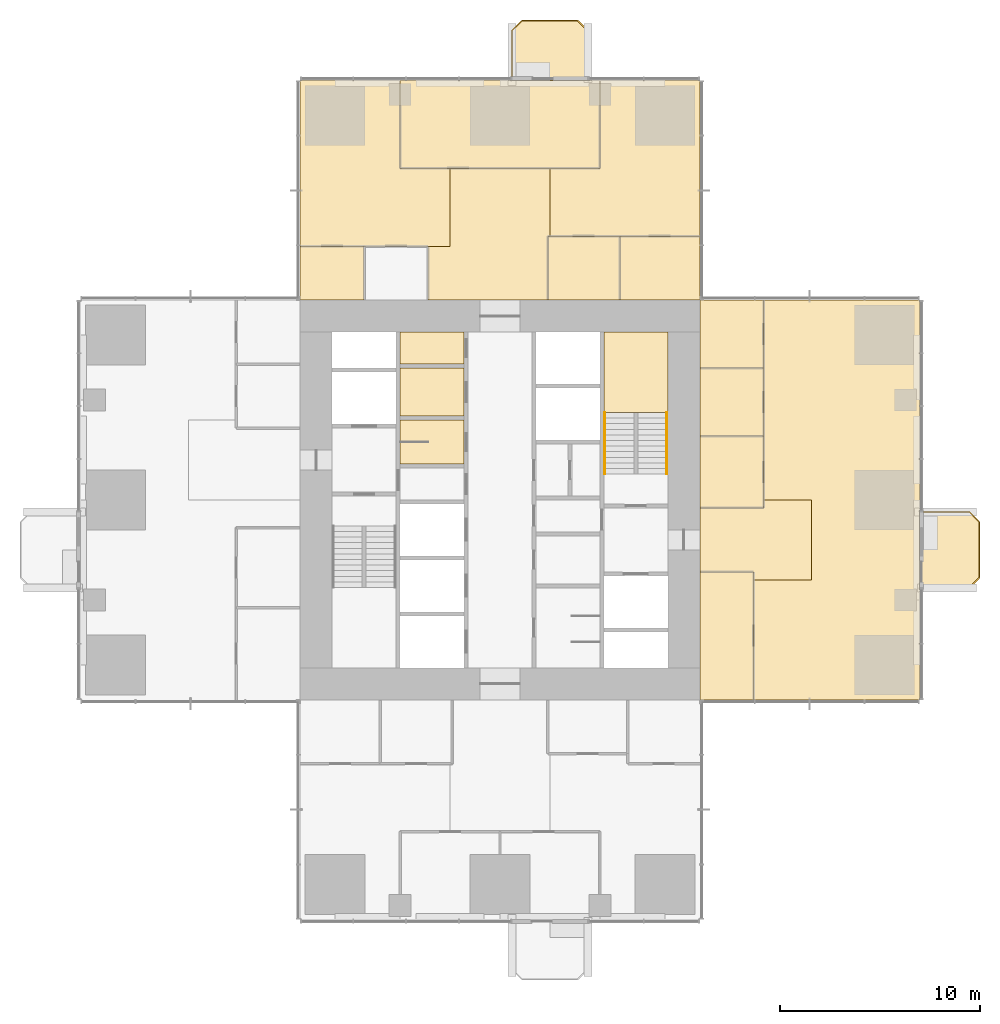
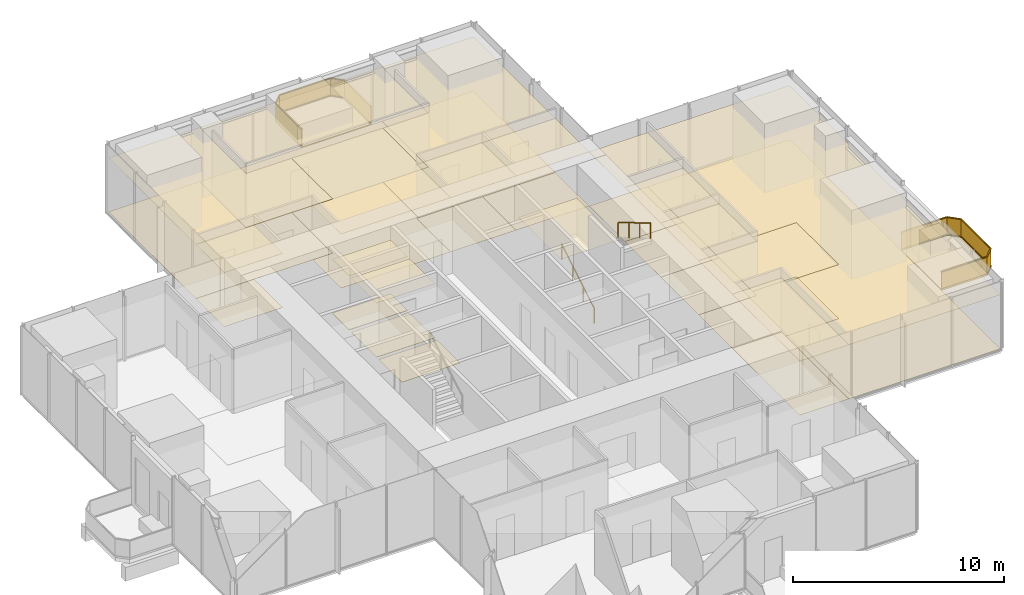
# One storey, part 12 of 13: 34 coverings, 4 railings.
"""IFC4 building model written with IfcOpenShell, lengths in metres."""

from ifc_helpers import new_model, si_unit, direction, frame, origin, origin_2d, place, context, subcontext, project, spatial, polyline, rectangle, circle, outline, extrude, material, layer, layer_set, type_object, element, save


model = new_model("IFC4")

# Units and contexts
model_context = context("Model", 3, precision=1e-05, world=origin(), true_north=direction((0.0, 1.0)))
body_context = subcontext(model_context, "Body", "Model", "MODEL_VIEW")
ifc_project = project(units=[si_unit("LENGTHUNIT", "METRE"), si_unit("AREAUNIT", "SQUARE_METRE"), si_unit("VOLUMEUNIT", "CUBIC_METRE"), si_unit("PLANEANGLEUNIT", "RADIAN"), si_unit("MASSUNIT", "GRAM", prefix="KILO")], contexts=[model_context])

# Site, building, storey
site_placement = place(None, origin())
site = spatial("IfcSite", under=ifc_project, at=site_placement, CompositionType="ELEMENT")
building_placement = place(site_placement, origin())
building = spatial("IfcBuilding", under=site, at=building_placement, Name="Svetlomir Tower", CompositionType="ELEMENT")
storey_placement = place(building_placement, frame((0.0, 0.0, 128.5)))
storey = spatial("IfcBuildingStorey", under=building, at=storey_placement, Name="L30", CompositionType="ELEMENT", Elevation=128.5)

# Railings
ifc_material_1 = material(Name="Bronze anodised aluminium and laminated glass", Category="aluminium")
railing_type_1 = type_object("IfcRailingType", Name="BALCONY GUARD GR1 1100", PredefinedType="GUARDRAIL", material=ifc_material_1)
railing_1_placement = place(storey_placement, frame((42.0, 16.60009765625, 0.0)))
element("IfcRailing", 1, at=railing_1_placement, inside=storey, type_object=railing_type_1, Name="Balcony guard E L30", PredefinedType="GUARDRAIL", context=body_context, shape_type="SweptSolid", body=[
    extrude(rectangle(XDim=0.06005859375, YDim=0.10009765625, at=origin_2d()), frame((0.0, 0.0, 0.050048828125), z_axis=(1.0, 0.0, 0.0), x_axis=(0.0, 1.0, 0.0)), (0.0, 0.0, 1.0), 2.5),
    extrude(rectangle(XDim=0.021484375, YDim=0.960205078125, at=origin_2d()), frame((0.0, 0.0, 0.580078125), z_axis=(1.0, 0.0, 0.0), x_axis=(0.0, 1.0, 0.0)), (0.0, 0.0, 1.0), 2.5),
    extrude(rectangle(XDim=0.06005859375, YDim=0.0400390625, at=origin_2d()), frame((0.0, 0.0, 1.080078125), z_axis=(1.0, 0.0, 0.0), x_axis=(0.0, 1.0, 0.0)), (0.0, 0.0, 1.0), 2.5),
    extrude(rectangle(XDim=0.06005859375, YDim=0.10009765625, at=origin_2d()), frame((2.5, 0.0, 0.050048828125), z_axis=(0.707106781187, 0.707106781187, 0.0), x_axis=(-0.707106781187, 0.707106781187, 0.0)), (0.0, 0.0, 1.0), 0.70703125),
    extrude(rectangle(XDim=0.021484375, YDim=0.960205078125, at=origin_2d()), frame((2.5, 0.0, 0.580078125), z_axis=(0.707106781187, 0.707106781187, 0.0), x_axis=(-0.707106781187, 0.707106781187, 0.0)), (0.0, 0.0, 1.0), 0.70703125),
    extrude(rectangle(XDim=0.06005859375, YDim=0.0400390625, at=origin_2d()), frame((2.5, 0.0, 1.080078125), z_axis=(0.707106781187, 0.707106781187, 0.0), x_axis=(-0.707106781187, 0.707106781187, 0.0)), (0.0, 0.0, 1.0), 0.70703125),
    extrude(rectangle(XDim=0.06005859375, YDim=0.10009765625, at=origin_2d()), frame((3.0, 0.5, 0.050048828125), z_axis=(0.0, 1.0, 0.0), x_axis=(-1.0, 0.0, 0.0)), (0.0, 0.0, 1.0), 2.7998046875),
    extrude(rectangle(XDim=0.021484375, YDim=0.960205078125, at=origin_2d()), frame((3.0, 0.5, 0.580078125), z_axis=(0.0, 1.0, 0.0), x_axis=(-1.0, 0.0, 0.0)), (0.0, 0.0, 1.0), 2.7998046875),
    extrude(rectangle(XDim=0.06005859375, YDim=0.0400390625, at=origin_2d()), frame((3.0, 0.5, 1.080078125), z_axis=(0.0, 1.0, 0.0), x_axis=(-1.0, 0.0, 0.0)), (0.0, 0.0, 1.0), 2.7998046875),
    extrude(rectangle(XDim=0.06005859375, YDim=0.10009765625, at=origin_2d()), frame((3.0, 3.2998046875, 0.050048828125), z_axis=(-0.707106781187, 0.707106781187, 0.0), x_axis=(-0.707106781187, -0.707106781187, 0.0)), (0.0, 0.0, 1.0), 0.70703125),
    extrude(rectangle(XDim=0.021484375, YDim=0.960205078125, at=origin_2d()), frame((3.0, 3.2998046875, 0.580078125), z_axis=(-0.707106781187, 0.707106781187, 0.0), x_axis=(-0.707106781187, -0.707106781187, 0.0)), (0.0, 0.0, 1.0), 0.70703125),
    extrude(rectangle(XDim=0.06005859375, YDim=0.0400390625, at=origin_2d()), frame((3.0, 3.2998046875, 1.080078125), z_axis=(-0.707106781187, 0.707106781187, 0.0), x_axis=(-0.707106781187, -0.707106781187, 0.0)), (0.0, 0.0, 1.0), 0.70703125),
    extrude(rectangle(XDim=0.06005859375, YDim=0.10009765625, at=origin_2d()), frame((2.5, 3.7998046875, 0.050048828125), z_axis=(-1.0, 0.0, 0.0), x_axis=(0.0, -1.0, 0.0)), (0.0, 0.0, 1.0), 2.5),
    extrude(rectangle(XDim=0.021484375, YDim=0.960205078125, at=origin_2d()), frame((2.5, 3.7998046875, 0.580078125), z_axis=(-1.0, 0.0, 0.0), x_axis=(0.0, -1.0, 0.0)), (0.0, 0.0, 1.0), 2.5),
    extrude(rectangle(XDim=0.06005859375, YDim=0.0400390625, at=origin_2d()), frame((2.5, 3.7998046875, 1.080078125), z_axis=(-1.0, 0.0, 0.0), x_axis=(0.0, -1.0, 0.0)), (0.0, 0.0, 1.0), 2.5),
])
railing_2_placement = place(storey_placement, frame((25.39990234375, 42.0, 0.0)))
element("IfcRailing", 2, at=railing_2_placement, inside=storey, type_object=railing_type_1, Name="Balcony guard N L30", PredefinedType="GUARDRAIL", context=body_context, shape_type="SweptSolid", body=[
    extrude(rectangle(XDim=0.06005859375, YDim=0.10009765625, at=origin_2d()), frame((0.0, 0.0, 0.050048828125), z_axis=(0.0, 1.0, 0.0), x_axis=(-1.0, 0.0, 0.0)), (0.0, 0.0, 1.0), 2.5),
    extrude(rectangle(XDim=0.021484375, YDim=0.960205078125, at=origin_2d()), frame((0.0, 0.0, 0.580078125), z_axis=(0.0, 1.0, 0.0), x_axis=(-1.0, 0.0, 0.0)), (0.0, 0.0, 1.0), 2.5),
    extrude(rectangle(XDim=0.06005859375, YDim=0.0400390625, at=origin_2d()), frame((0.0, 0.0, 1.080078125), z_axis=(0.0, 1.0, 0.0), x_axis=(-1.0, 0.0, 0.0)), (0.0, 0.0, 1.0), 2.5),
    extrude(rectangle(XDim=0.06005859375, YDim=0.10009765625, at=origin_2d()), frame((0.0, 2.5, 0.050048828125), z_axis=(-0.707106781187, 0.707106781187, 0.0), x_axis=(-0.707106781187, -0.707106781187, 0.0)), (0.0, 0.0, 1.0), 0.70703125),
    extrude(rectangle(XDim=0.021484375, YDim=0.960205078125, at=origin_2d()), frame((0.0, 2.5, 0.580078125), z_axis=(-0.707106781187, 0.707106781187, 0.0), x_axis=(-0.707106781187, -0.707106781187, 0.0)), (0.0, 0.0, 1.0), 0.70703125),
    extrude(rectangle(XDim=0.06005859375, YDim=0.0400390625, at=origin_2d()), frame((0.0, 2.5, 1.080078125), z_axis=(-0.707106781187, 0.707106781187, 0.0), x_axis=(-0.707106781187, -0.707106781187, 0.0)), (0.0, 0.0, 1.0), 0.70703125),
    extrude(rectangle(XDim=0.06005859375, YDim=0.10009765625, at=origin_2d()), frame((-0.5, 3.0, 0.050048828125), z_axis=(-1.0, 0.0, 0.0), x_axis=(0.0, -1.0, 0.0)), (0.0, 0.0, 1.0), 2.7998046875),
    extrude(rectangle(XDim=0.021484375, YDim=0.960205078125, at=origin_2d()), frame((-0.5, 3.0, 0.580078125), z_axis=(-1.0, 0.0, 0.0), x_axis=(0.0, -1.0, 0.0)), (0.0, 0.0, 1.0), 2.7998046875),
    extrude(rectangle(XDim=0.06005859375, YDim=0.0400390625, at=origin_2d()), frame((-0.5, 3.0, 1.080078125), z_axis=(-1.0, 0.0, 0.0), x_axis=(0.0, -1.0, 0.0)), (0.0, 0.0, 1.0), 2.7998046875),
    extrude(rectangle(XDim=0.06005859375, YDim=0.10009765625, at=origin_2d()), frame((-3.2998046875, 3.0, 0.050048828125), z_axis=(-0.707106781187, -0.707106781187, 0.0), x_axis=(0.707106781187, -0.707106781187, 0.0)), (0.0, 0.0, 1.0), 0.70703125),
    extrude(rectangle(XDim=0.021484375, YDim=0.960205078125, at=origin_2d()), frame((-3.2998046875, 3.0, 0.580078125), z_axis=(-0.707106781187, -0.707106781187, 0.0), x_axis=(0.707106781187, -0.707106781187, 0.0)), (0.0, 0.0, 1.0), 0.70703125),
    extrude(rectangle(XDim=0.06005859375, YDim=0.0400390625, at=origin_2d()), frame((-3.2998046875, 3.0, 1.080078125), z_axis=(-0.707106781187, -0.707106781187, 0.0), x_axis=(0.707106781187, -0.707106781187, 0.0)), (0.0, 0.0, 1.0), 0.70703125),
    extrude(rectangle(XDim=0.06005859375, YDim=0.10009765625, at=origin_2d()), frame((-3.7998046875, 2.5, 0.050048828125), z_axis=(0.0, -1.0, 0.0), x_axis=(1.0, 0.0, 0.0)), (0.0, 0.0, 1.0), 2.5),
    extrude(rectangle(XDim=0.021484375, YDim=0.960205078125, at=origin_2d()), frame((-3.7998046875, 2.5, 0.580078125), z_axis=(0.0, -1.0, 0.0), x_axis=(1.0, 0.0, 0.0)), (0.0, 0.0, 1.0), 2.5),
    extrude(rectangle(XDim=0.06005859375, YDim=0.0400390625, at=origin_2d()), frame((-3.7998046875, 2.5, 1.080078125), z_axis=(0.0, -1.0, 0.0), x_axis=(1.0, 0.0, 0.0)), (0.0, 0.0, 1.0), 2.5),
])

# Coverings
ifc_material_2 = material(Name="Granite paving slabs on pedestals", Category="masonry")
ifc_layer_1 = layer(ifc_material_2, 0.0400390625)
ifc_layer_set_1 = layer_set([ifc_layer_1], Name="Granite paving slabs on pedestals")
covering_type_1 = type_object("IfcCoveringType", Name="BALCONY PAVING 40", PredefinedType="USERDEFINED", material=ifc_layer_set_1)
covering_1_placement = place(storey_placement, origin())
element("IfcCovering", 3, at=covering_1_placement, inside=storey, type_object=covering_type_1, Name="Balcony paving E L30", ObjectType="BALCONY PAVING", PredefinedType="USERDEFINED", context=body_context, shape_type="SweptSolid", body=[
    extrude(outline(polyline([(42.0, 16.60009765625), (44.5, 16.60009765625), (45.0, 17.10009765625), (45.0, 19.89990234375), (44.5, 20.39990234375), (42.0, 20.39990234375), (42.0, 16.60009765625)])), origin(), (0.0, 0.0, 1.0), 0.0400390625),
])
covering_2_placement = place(storey_placement, origin())
element("IfcCovering", 4, at=covering_2_placement, inside=storey, type_object=covering_type_1, Name="Balcony paving N L30", ObjectType="BALCONY PAVING", PredefinedType="USERDEFINED", context=body_context, shape_type="SweptSolid", body=[
    extrude(outline(polyline([(21.60009765625, 42.0), (25.39990234375, 42.0), (25.39990234375, 44.5), (24.89990234375, 45.0), (22.10009765625, 45.0), (21.60009765625, 44.5), (21.60009765625, 42.0)])), origin(), (0.0, 0.0, 1.0), 0.0400390625),
])
ifc_material_3 = material(Name="Carpet tile", Category="textile")
ifc_layer_2 = layer(ifc_material_3, 0.010009765625)
ifc_layer_set_2 = layer_set([ifc_layer_2], Name="Carpet tile")
covering_type_2 = type_object("IfcCoveringType", Name="CARPET TILE FLOOR 10", PredefinedType="FLOORING", material=ifc_layer_set_2)
covering_3_placement = place(storey_placement, origin())
element("IfcCovering", 5, at=covering_3_placement, inside=storey, type_object=covering_type_2, Name="Floor finish L30-21", PredefinedType="FLOORING", context=body_context, shape_type="SweptSolid", body=[
    extrude(outline(polyline([(31.0, 11.0), (33.699951171875, 11.0), (33.699951171875, 17.39990234375), (31.0, 17.39990234375), (31.0, 11.0)])), origin(), (0.0, 0.0, 1.0), 0.010009765625),
])
covering_4_placement = place(storey_placement, origin())
element("IfcCovering", 6, at=covering_4_placement, inside=storey, type_object=covering_type_2, Name="Floor finish L30-22", PredefinedType="FLOORING", context=body_context, shape_type="SweptSolid", body=[
    extrude(outline(polyline([(31.0, 20.60009765625), (34.199951171875, 20.60009765625), (34.199951171875, 24.199951171875), (31.0, 24.199951171875), (31.0, 20.60009765625)])), origin(), (0.0, 0.0, 1.0), 0.010009765625),
])
covering_5_placement = place(storey_placement, origin())
element("IfcCovering", 7, at=covering_5_placement, inside=storey, type_object=covering_type_2, Name="Floor finish L30-23", PredefinedType="FLOORING", context=body_context, shape_type="SweptSolid", body=[
    extrude(outline(polyline([(31.0, 24.199951171875), (34.199951171875, 24.199951171875), (34.199951171875, 27.60009765625), (31.0, 27.60009765625), (31.0, 24.199951171875)])), origin(), (0.0, 0.0, 1.0), 0.010009765625),
])
covering_6_placement = place(storey_placement, origin())
element("IfcCovering", 8, at=covering_6_placement, inside=storey, type_object=covering_type_2, Name="Floor finish L30-24", PredefinedType="FLOORING", context=body_context, shape_type="SweptSolid", body=[
    extrude(outline(polyline([(31.0, 27.60009765625), (34.199951171875, 27.60009765625), (34.199951171875, 31.0), (31.0, 31.0), (31.0, 27.60009765625)])), origin(), (0.0, 0.0, 1.0), 0.010009765625),
])
covering_7_placement = place(storey_placement, origin())
element("IfcCovering", 9, at=covering_7_placement, inside=storey, type_object=covering_type_2, Name="Floor finish L30-25", PredefinedType="FLOORING", context=body_context, shape_type="SweptSolid", body=[
    extrude(outline(polyline([(11.0, 31.0), (14.199951171875, 31.0), (14.199951171875, 33.699951171875), (11.0, 33.699951171875), (11.0, 31.0)])), origin(), (0.0, 0.0, 1.0), 0.010009765625),
])
covering_8_placement = place(storey_placement, origin())
element("IfcCovering", 10, at=covering_8_placement, inside=storey, type_object=covering_type_2, Name="Floor finish L30-27", PredefinedType="FLOORING", context=body_context, shape_type="SweptSolid", body=[
    extrude(outline(polyline([(23.39990234375, 31.0), (27.0, 31.0), (27.0, 34.199951171875), (23.39990234375, 34.199951171875), (23.39990234375, 31.0)])), origin(), (0.0, 0.0, 1.0), 0.010009765625),
])
covering_9_placement = place(storey_placement, origin())
element("IfcCovering", 11, at=covering_9_placement, inside=storey, type_object=covering_type_2, Name="Floor finish L30-28", PredefinedType="FLOORING", context=body_context, shape_type="SweptSolid", body=[
    extrude(outline(polyline([(27.0, 31.0), (31.0, 31.0), (31.0, 34.199951171875), (27.0, 34.199951171875), (27.0, 31.0)])), origin(), (0.0, 0.0, 1.0), 0.010009765625),
])
covering_10_placement = place(storey_placement, origin())
element("IfcCovering", 12, at=covering_10_placement, inside=storey, type_object=covering_type_2, Name="Floor finish L30-29", PredefinedType="FLOORING", context=body_context, shape_type="SweptSolid", body=[
    extrude(outline(polyline([(16.0, 37.60009765625), (26.0, 37.60009765625), (26.0, 42.0), (16.0, 42.0), (16.0, 37.60009765625)])), origin(), (0.0, 0.0, 1.0), 0.010009765625),
])
covering_11_placement = place(storey_placement, origin())
element("IfcCovering", 13, at=covering_11_placement, inside=storey, type_object=covering_type_2, Name="Floor finish L30-35", PredefinedType="FLOORING", context=body_context, shape_type="SweptSolid", body=[
    extrude(outline(polyline([(34.199951171875, 20.60009765625), (34.199951171875, 21.0), (36.60009765625, 21.0), (36.60009765625, 17.0), (33.699951171875, 17.0), (33.699951171875, 17.39990234375), (31.0, 17.39990234375), (31.0, 20.60009765625), (34.199951171875, 20.60009765625)])), origin(), (0.0, 0.0, 1.0), 0.010009765625),
])
covering_12_placement = place(storey_placement, origin())
element("IfcCovering", 14, at=covering_12_placement, inside=storey, type_object=covering_type_2, Name="Floor finish L30-37", PredefinedType="FLOORING", context=body_context, shape_type="SweptSolid", body=[
    extrude(outline(polyline([(18.5, 33.699951171875), (18.5, 37.60009765625), (23.5, 37.60009765625), (23.5, 34.199951171875), (23.39990234375, 34.199951171875), (23.39990234375, 31.0), (17.39990234375, 31.0), (17.39990234375, 33.699951171875), (18.5, 33.699951171875)])), origin(), (0.0, 0.0, 1.0), 0.010009765625),
])
covering_13_placement = place(storey_placement, origin())
element("IfcCovering", 15, at=covering_13_placement, inside=storey, type_object=covering_type_2, Name="Floor finish L30-40", PredefinedType="FLOORING", context=body_context, shape_type="SweptSolid", body=[
    extrude(outline(polyline([(33.699951171875, 11.0), (33.699951171875, 17.0), (36.60009765625, 17.0), (36.60009765625, 21.0), (34.199951171875, 21.0), (34.199951171875, 31.0), (42.0, 31.0), (42.0, 11.0), (33.699951171875, 11.0)])), origin(), (0.0, 0.0, 1.0), 0.010009765625),
])
covering_14_placement = place(storey_placement, origin())
element("IfcCovering", 16, at=covering_14_placement, inside=storey, type_object=covering_type_2, Name="Floor finish L30-41", PredefinedType="FLOORING", context=body_context, shape_type="SweptSolid", body=[
    extrude(outline(polyline([(23.5, 34.199951171875), (23.5, 37.60009765625), (26.0, 37.60009765625), (26.0, 42.0), (31.0, 42.0), (31.0, 34.199951171875), (23.5, 34.199951171875)])), origin(), (0.0, 0.0, 1.0), 0.010009765625),
])
covering_15_placement = place(storey_placement, origin())
element("IfcCovering", 17, at=covering_15_placement, inside=storey, type_object=covering_type_2, Name="Floor finish L30-42", PredefinedType="FLOORING", context=body_context, shape_type="SweptSolid", body=[
    extrude(outline(polyline([(11.0, 33.699951171875), (11.0, 42.0), (16.0, 42.0), (16.0, 37.60009765625), (18.5, 37.60009765625), (18.5, 33.699951171875), (11.0, 33.699951171875)])), origin(), (0.0, 0.0, 1.0), 0.010009765625),
])
ifc_material_4 = material(Name="Ceramic floor tile", Category="ceramic")
ifc_layer_3 = layer(ifc_material_4, 0.014892578125)
ifc_layer_set_3 = layer_set([ifc_layer_3], Name="Ceramic floor tile")
covering_type_3 = type_object("IfcCoveringType", Name="CERAMIC TILE FLOOR 15", PredefinedType="FLOORING", material=ifc_layer_set_3)
covering_16_placement = place(storey_placement, origin())
element("IfcCovering", 18, at=covering_16_placement, inside=storey, type_object=covering_type_3, Name="Floor finish L30-04", PredefinedType="FLOORING", context=body_context, shape_type="SweptSolid", body=[
    extrude(outline(polyline([(16.0, 22.800048828125), (19.199951171875, 22.800048828125), (19.199951171875, 25.0), (16.0, 25.0), (16.0, 22.800048828125)])), origin(), (0.0, 0.0, 1.0), 0.014892578125),
])
covering_17_placement = place(storey_placement, origin())
element("IfcCovering", 19, at=covering_17_placement, inside=storey, type_object=covering_type_3, Name="Floor finish L30-05", PredefinedType="FLOORING", context=body_context, shape_type="SweptSolid", body=[
    extrude(outline(polyline([(16.0, 25.199951171875), (19.199951171875, 25.199951171875), (19.199951171875, 27.60009765625), (16.0, 27.60009765625), (16.0, 25.199951171875)])), origin(), (0.0, 0.0, 1.0), 0.014892578125),
])

# Railings
ifc_material_5 = material(Name="Stainless steel", Category="steel")
railing_type_2 = type_object("IfcRailingType", Name="HANDRAIL HR1 900", PredefinedType="HANDRAIL", material=ifc_material_5)
railing_3_placement = place(storey_placement, frame((26.25, 22.300048828125, 0.166748046875)))
element("IfcRailing", 20, at=railing_3_placement, inside=storey, type_object=railing_type_2, Name="Handrail S2 flight 1 L30", PredefinedType="HANDRAIL", context=body_context, shape_type="SweptSolid", body=[
    extrude(circle(Radius=0.02392578125, at=origin_2d()), frame((0.0, 0.0, 0.8759765625), z_axis=(0.0, 0.859290745958, 0.51148745235), x_axis=(-1.0, 0.0, 0.0)), (0.0, 0.0, 1.0), 3.584228515625),
    extrude(circle(Radius=0.02099609375, at=origin_2d()), origin(), (0.0, 0.0, 1.0), 0.851806640625),
    extrude(circle(Radius=0.02099609375, at=origin_2d()), frame((0.0, 1.026611328125, 0.611083984375)), (0.0, 0.0, 1.0), 0.851806640625),
    extrude(circle(Radius=0.02099609375, at=origin_2d()), frame((0.0, 2.05322265625, 1.22216796875)), (0.0, 0.0, 1.0), 0.851806640625),
    extrude(circle(Radius=0.02099609375, at=origin_2d()), frame((0.0, 3.079833984375, 1.833251953125)), (0.0, 0.0, 1.0), 0.851806640625),
])
railing_4_placement = place(storey_placement, frame((29.35009765625, 25.3798828125, 2.166748046875)))
element("IfcRailing", 21, at=railing_4_placement, inside=storey, type_object=railing_type_2, Name="Handrail S2 flight 2 L30", PredefinedType="HANDRAIL", context=body_context, shape_type="SweptSolid", body=[
    extrude(circle(Radius=0.02392578125, at=origin_2d()), frame((0.0, 0.0, 0.8759765625), z_axis=(0.0, -0.859290745958, 0.51148745235), x_axis=(1.0, 0.0, 0.0)), (0.0, 0.0, 1.0), 3.584228515625),
    extrude(circle(Radius=0.02099609375, at=origin_2d()), origin(), (0.0, 0.0, 1.0), 0.851806640625),
    extrude(circle(Radius=0.02099609375, at=origin_2d()), frame((0.0, -1.026611328125, 0.611083984375)), (0.0, 0.0, 1.0), 0.851806640625),
    extrude(circle(Radius=0.02099609375, at=origin_2d()), frame((0.0, -2.05322265625, 1.22216796875)), (0.0, 0.0, 1.0), 0.851806640625),
    extrude(circle(Radius=0.02099609375, at=origin_2d()), frame((0.0, -3.079833984375, 1.833251953125)), (0.0, 0.0, 1.0), 0.851806640625),
])

# Coverings
ifc_material_6 = material(Name="Moisture resistant plasterboard ceiling", Category="gypsum")
ifc_layer_4 = layer(ifc_material_6, 0.012451171875)
ifc_layer_set_4 = layer_set([ifc_layer_4], Name="Moisture resistant plasterboard ceiling")
covering_type_4 = type_object("IfcCoveringType", Name="MOISTURE RESISTANT CEILING 12.5", PredefinedType="CEILING", material=ifc_layer_set_4)
covering_18_placement = place(storey_placement, frame((0.0, 0.0, 3.137451171875)))
element("IfcCovering", 22, at=covering_18_placement, inside=storey, type_object=covering_type_4, Name="Ceiling L30-05", PredefinedType="CEILING", context=body_context, shape_type="SweptSolid", body=[
    extrude(outline(polyline([(16.0, 25.199951171875), (19.199951171875, 25.199951171875), (19.199951171875, 27.60009765625), (16.0, 27.60009765625), (16.0, 25.199951171875)])), origin(), (0.0, 0.0, 1.0), 0.012451171875),
])
ifc_material_7 = material(Name="Gypsum plasterboard ceiling", Category="gypsum")
ifc_layer_5 = layer(ifc_material_7, 0.014892578125)
ifc_layer_set_5 = layer_set([ifc_layer_5], Name="Gypsum plasterboard ceiling")
covering_type_5 = type_object("IfcCoveringType", Name="PLASTERBOARD CEILING 15", PredefinedType="CEILING", material=ifc_layer_set_5)
covering_19_placement = place(storey_placement, frame((0.0, 0.0, 3.135009765625)))
element("IfcCovering", 23, at=covering_19_placement, inside=storey, type_object=covering_type_5, Name="Ceiling L30-06", PredefinedType="CEILING", context=body_context, shape_type="SweptSolid", body=[
    extrude(outline(polyline([(16.0, 27.800048828125), (19.199951171875, 27.800048828125), (19.199951171875, 29.39990234375), (16.0, 29.39990234375), (16.0, 27.800048828125)])), origin(), (0.0, 0.0, 1.0), 0.014892578125),
])
ifc_material_8 = material(Name="Studded rubber floor finish", Category="rubber")
ifc_layer_6 = layer(ifc_material_8, 0.006103515625)
ifc_layer_set_6 = layer_set([ifc_layer_6], Name="Studded rubber floor finish")
covering_type_6 = type_object("IfcCoveringType", Name="RUBBER LANDING FINISH 6", PredefinedType="FLOORING", material=ifc_layer_set_6)
covering_20_placement = place(storey_placement, frame((0.0, 0.0, 2.0)))
element("IfcCovering", 24, at=covering_20_placement, inside=storey, type_object=covering_type_6, Name="Stair S2 landing finish L30", PredefinedType="FLOORING", context=body_context, shape_type="SweptSolid", body=[
    extrude(outline(polyline([(26.199951171875, 25.3798828125), (29.39990234375, 25.3798828125), (29.39990234375, 29.39990234375), (26.199951171875, 29.39990234375), (26.199951171875, 25.3798828125)])), origin(), (0.0, 0.0, 1.0), 0.006103515625),
])
ifc_material_9 = material(Name="Mineral fibre ceiling tile", Category="mineral")
ifc_layer_7 = layer(ifc_material_9, 0.02001953125)
ifc_layer_set_7 = layer_set([ifc_layer_7], Name="Mineral fibre ceiling tile")
covering_type_7 = type_object("IfcCoveringType", Name="SUSPENDED CEILING 20", PredefinedType="CEILING", material=ifc_layer_set_7)
covering_21_placement = place(storey_placement, frame((0.0, 0.0, 3.1298828125)))
element("IfcCovering", 25, at=covering_21_placement, inside=storey, type_object=covering_type_7, Name="Ceiling L30-21", PredefinedType="CEILING", context=body_context, shape_type="SweptSolid", body=[
    extrude(outline(polyline([(31.0, 11.0), (33.699951171875, 11.0), (33.699951171875, 17.39990234375), (31.0, 17.39990234375), (31.0, 11.0)])), origin(), (0.0, 0.0, 1.0), 0.02001953125),
])
covering_22_placement = place(storey_placement, frame((0.0, 0.0, 3.1298828125)))
element("IfcCovering", 26, at=covering_22_placement, inside=storey, type_object=covering_type_7, Name="Ceiling L30-22", PredefinedType="CEILING", context=body_context, shape_type="SweptSolid", body=[
    extrude(outline(polyline([(31.0, 20.60009765625), (34.199951171875, 20.60009765625), (34.199951171875, 24.199951171875), (31.0, 24.199951171875), (31.0, 20.60009765625)])), origin(), (0.0, 0.0, 1.0), 0.02001953125),
])
covering_23_placement = place(storey_placement, frame((0.0, 0.0, 3.1298828125)))
element("IfcCovering", 27, at=covering_23_placement, inside=storey, type_object=covering_type_7, Name="Ceiling L30-23", PredefinedType="CEILING", context=body_context, shape_type="SweptSolid", body=[
    extrude(outline(polyline([(31.0, 24.199951171875), (34.199951171875, 24.199951171875), (34.199951171875, 27.60009765625), (31.0, 27.60009765625), (31.0, 24.199951171875)])), origin(), (0.0, 0.0, 1.0), 0.02001953125),
])
covering_24_placement = place(storey_placement, frame((0.0, 0.0, 3.1298828125)))
element("IfcCovering", 28, at=covering_24_placement, inside=storey, type_object=covering_type_7, Name="Ceiling L30-24", PredefinedType="CEILING", context=body_context, shape_type="SweptSolid", body=[
    extrude(outline(polyline([(31.0, 27.60009765625), (34.199951171875, 27.60009765625), (34.199951171875, 31.0), (31.0, 31.0), (31.0, 27.60009765625)])), origin(), (0.0, 0.0, 1.0), 0.02001953125),
])
covering_25_placement = place(storey_placement, frame((0.0, 0.0, 3.1298828125)))
element("IfcCovering", 29, at=covering_25_placement, inside=storey, type_object=covering_type_7, Name="Ceiling L30-25", PredefinedType="CEILING", context=body_context, shape_type="SweptSolid", body=[
    extrude(outline(polyline([(11.0, 31.0), (14.199951171875, 31.0), (14.199951171875, 33.699951171875), (11.0, 33.699951171875), (11.0, 31.0)])), origin(), (0.0, 0.0, 1.0), 0.02001953125),
])
covering_26_placement = place(storey_placement, frame((0.0, 0.0, 3.1298828125)))
element("IfcCovering", 30, at=covering_26_placement, inside=storey, type_object=covering_type_7, Name="Ceiling L30-27", PredefinedType="CEILING", context=body_context, shape_type="SweptSolid", body=[
    extrude(outline(polyline([(23.39990234375, 31.0), (27.0, 31.0), (27.0, 34.199951171875), (23.39990234375, 34.199951171875), (23.39990234375, 31.0)])), origin(), (0.0, 0.0, 1.0), 0.02001953125),
])
covering_27_placement = place(storey_placement, frame((0.0, 0.0, 3.1298828125)))
element("IfcCovering", 31, at=covering_27_placement, inside=storey, type_object=covering_type_7, Name="Ceiling L30-28", PredefinedType="CEILING", context=body_context, shape_type="SweptSolid", body=[
    extrude(outline(polyline([(27.0, 31.0), (31.0, 31.0), (31.0, 34.199951171875), (27.0, 34.199951171875), (27.0, 31.0)])), origin(), (0.0, 0.0, 1.0), 0.02001953125),
])
covering_28_placement = place(storey_placement, frame((0.0, 0.0, 3.1298828125)))
element("IfcCovering", 32, at=covering_28_placement, inside=storey, type_object=covering_type_7, Name="Ceiling L30-29", PredefinedType="CEILING", context=body_context, shape_type="SweptSolid", body=[
    extrude(outline(polyline([(16.0, 37.60009765625), (26.0, 37.60009765625), (26.0, 42.0), (16.0, 42.0), (16.0, 37.60009765625)])), origin(), (0.0, 0.0, 1.0), 0.02001953125),
])
covering_29_placement = place(storey_placement, frame((0.0, 0.0, 3.1298828125)))
element("IfcCovering", 33, at=covering_29_placement, inside=storey, type_object=covering_type_7, Name="Ceiling L30-35", PredefinedType="CEILING", context=body_context, shape_type="SweptSolid", body=[
    extrude(outline(polyline([(34.199951171875, 20.60009765625), (34.199951171875, 21.0), (36.60009765625, 21.0), (36.60009765625, 17.0), (33.699951171875, 17.0), (33.699951171875, 17.39990234375), (31.0, 17.39990234375), (31.0, 20.60009765625), (34.199951171875, 20.60009765625)])), origin(), (0.0, 0.0, 1.0), 0.02001953125),
])
covering_30_placement = place(storey_placement, frame((0.0, 0.0, 3.1298828125)))
element("IfcCovering", 34, at=covering_30_placement, inside=storey, type_object=covering_type_7, Name="Ceiling L30-37", PredefinedType="CEILING", context=body_context, shape_type="SweptSolid", body=[
    extrude(outline(polyline([(18.5, 33.699951171875), (18.5, 37.60009765625), (23.5, 37.60009765625), (23.5, 34.199951171875), (23.39990234375, 34.199951171875), (23.39990234375, 31.0), (17.39990234375, 31.0), (17.39990234375, 33.699951171875), (18.5, 33.699951171875)])), origin(), (0.0, 0.0, 1.0), 0.02001953125),
])
covering_31_placement = place(storey_placement, frame((0.0, 0.0, 3.1298828125)))
element("IfcCovering", 35, at=covering_31_placement, inside=storey, type_object=covering_type_7, Name="Ceiling L30-40", PredefinedType="CEILING", context=body_context, shape_type="SweptSolid", body=[
    extrude(outline(polyline([(33.699951171875, 11.0), (33.699951171875, 17.0), (36.60009765625, 17.0), (36.60009765625, 21.0), (34.199951171875, 21.0), (34.199951171875, 31.0), (42.0, 31.0), (42.0, 11.0), (33.699951171875, 11.0)])), origin(), (0.0, 0.0, 1.0), 0.02001953125),
])
covering_32_placement = place(storey_placement, frame((0.0, 0.0, 3.1298828125)))
element("IfcCovering", 36, at=covering_32_placement, inside=storey, type_object=covering_type_7, Name="Ceiling L30-41", PredefinedType="CEILING", context=body_context, shape_type="SweptSolid", body=[
    extrude(outline(polyline([(23.5, 34.199951171875), (23.5, 37.60009765625), (26.0, 37.60009765625), (26.0, 42.0), (31.0, 42.0), (31.0, 34.199951171875), (23.5, 34.199951171875)])), origin(), (0.0, 0.0, 1.0), 0.02001953125),
])
covering_33_placement = place(storey_placement, frame((0.0, 0.0, 3.1298828125)))
element("IfcCovering", 37, at=covering_33_placement, inside=storey, type_object=covering_type_7, Name="Ceiling L30-42", PredefinedType="CEILING", context=body_context, shape_type="SweptSolid", body=[
    extrude(outline(polyline([(11.0, 33.699951171875), (11.0, 42.0), (16.0, 42.0), (16.0, 37.60009765625), (18.5, 37.60009765625), (18.5, 33.699951171875), (11.0, 33.699951171875)])), origin(), (0.0, 0.0, 1.0), 0.02001953125),
])
ifc_material_10 = material(Name="Bronze-aggregate terrazzo", Category="stone")
ifc_layer_8 = layer(ifc_material_10, 0.030029296875)
ifc_layer_set_8 = layer_set([ifc_layer_8], Name="Bronze-aggregate terrazzo")
covering_type_8 = type_object("IfcCoveringType", Name="TERRAZZO FLOOR 30", PredefinedType="FLOORING", material=ifc_layer_set_8)
covering_34_placement = place(storey_placement, origin())
element("IfcCovering", 38, at=covering_34_placement, inside=storey, type_object=covering_type_8, Name="Floor finish L30-06", PredefinedType="FLOORING", context=body_context, shape_type="SweptSolid", body=[
    extrude(outline(polyline([(16.0, 27.800048828125), (19.199951171875, 27.800048828125), (19.199951171875, 29.39990234375), (16.0, 29.39990234375), (16.0, 27.800048828125)])), origin(), (0.0, 0.0, 1.0), 0.030029296875),
])

save(model, "model.ifc")
